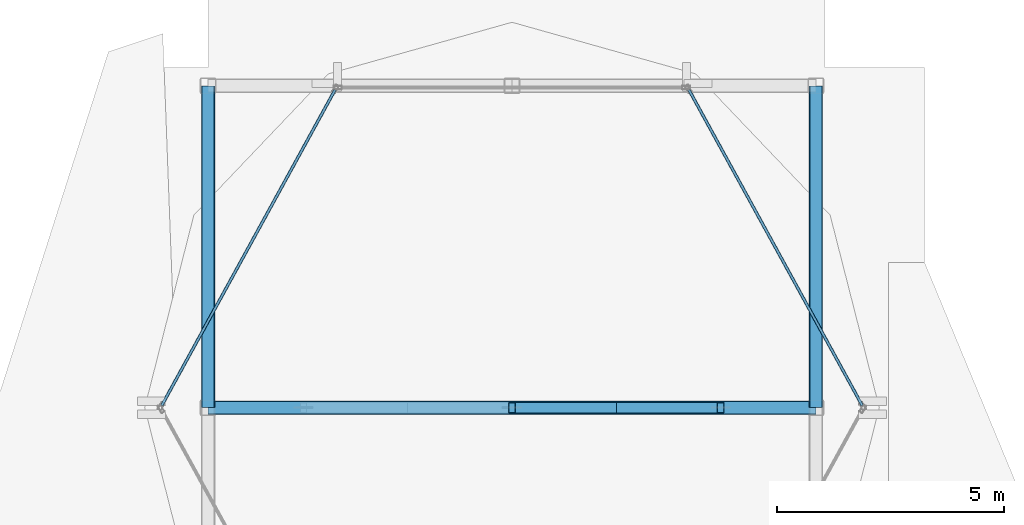
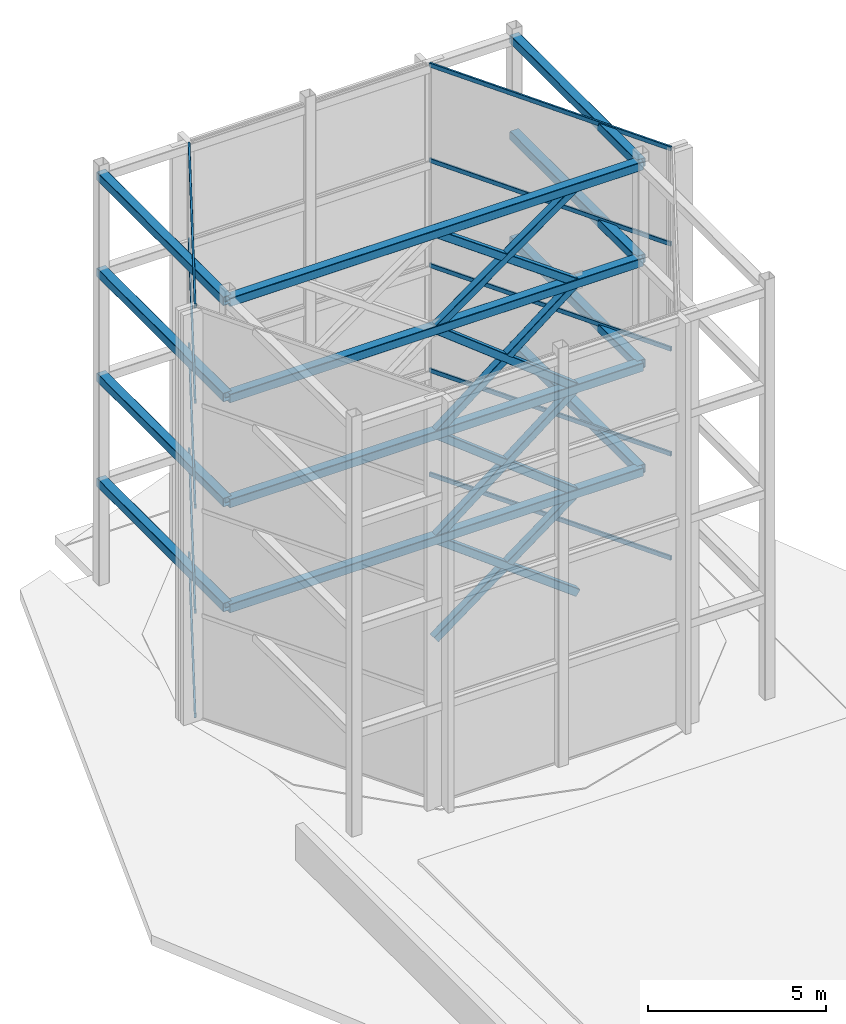
# One storey, part 15 of 24: 18 members, 12 beams, 2 elements without a shape of their own.
"""IFC4 building model written with IfcOpenShell, lengths in metres."""

import ifcopenshell
import ifcopenshell.guid

model = None  # the IFC model being written
_history = None  # IfcOwnerHistory: only IFC2X3 demands one
_inside = {}  # id of a spatial element -> (the spatial element, [elements in it])
_under = {}  # id of a project, library or spatial element -> (it, [spatial elements below it])
_declared = {}  # id of a project -> (the project, [libraries it declares])
_typed = {}  # id of a type object -> (the type object, [elements of that type])
_made_of = {}  # id of a material, layer set ... -> (it, [elements and type objects made of it])


def new_model(schema):
    """Start an empty IFC model of exactly this schema.

    Asked for "IFC4X3", IfcOpenShell would pick the latest addendum, in which some entities
    have other attributes; the version numbers below select the first issue.
    IFC2X3 requires an IfcOwnerHistory on every rooted entity: one is made here for all.
    """
    global model, _history
    if schema == "IFC4X3":
        model = ifcopenshell.file(schema_version=(4, 3, 0, 0))
    else:
        model = ifcopenshell.file(schema=schema)
    _inside.clear()
    _under.clear()
    _declared.clear()
    _typed.clear()
    _made_of.clear()
    _history = None
    if model.schema == "IFC2X3":
        org = make("IfcOrganization", Name="unknown")
        user = make(
            "IfcPersonAndOrganization",
            ThePerson=make("IfcPerson", FamilyName="unknown"),
            TheOrganization=org,
        )
        app = make(
            "IfcApplication",
            ApplicationDeveloper=org,
            Version="unknown",
            ApplicationFullName="unknown",
            ApplicationIdentifier="unknown",
        )
        _history = make(
            "IfcOwnerHistory",
            OwningUser=user,
            OwningApplication=app,
            ChangeAction="ADDED",
            CreationDate=0,
        )
    return model


def make(cls, **values):
    """One entity of the class cls with the attributes given. An attribute that is None is left unset."""
    return model.create_entity(
        cls, **{name: value for name, value in values.items() if value is not None}
    )


def rooted(cls, **values):
    """An entity with a GlobalId (a new one), such as an element, a storey or a relation."""
    return make(cls, GlobalId=ifcopenshell.guid.new(), OwnerHistory=_history, **values)


def si_unit(unit_type, name, prefix=None):
    """IfcSIUnit, for example si_unit("LENGTHUNIT", "METRE", prefix="MILLI")."""
    return make("IfcSIUnit", UnitType=unit_type, Prefix=prefix, Name=name)


def assignment(units):
    """IfcUnitAssignment: the units of a project."""
    return None if units is None else make("IfcUnitAssignment", Units=units)


def point(xyz):
    """IfcCartesianPoint."""
    return None if xyz is None else make("IfcCartesianPoint", Coordinates=xyz)


def direction(xyz):
    """IfcDirection."""
    return None if xyz is None else make("IfcDirection", DirectionRatios=xyz)


def frame(location, z_axis=None, x_axis=None):
    """IfcAxis2Placement3D, a coordinate frame: its origin and axes. An axis left out is left unset."""
    return make(
        "IfcAxis2Placement3D",
        Location=point(location),
        Axis=direction(z_axis),
        RefDirection=direction(x_axis),
    )


def frame_2d(location, x_axis=None):
    """IfcAxis2Placement2D, a coordinate frame in the plane: its origin and x axis."""
    return make(
        "IfcAxis2Placement2D", Location=point(location), RefDirection=direction(x_axis)
    )


def origin():
    """The frame at (0, 0, 0) with its axes left unset."""
    return frame((0.0, 0.0, 0.0))


def origin_2d():
    """The frame at (0, 0) in the plane with its x axis left unset."""
    return frame_2d((0.0, 0.0))


def place(relative_to, where):
    """IfcLocalPlacement: puts the frame where relative to a parent placement (None: the world)."""
    return make(
        "IfcLocalPlacement", PlacementRelTo=relative_to, RelativePlacement=where
    )


def context(
    kind, dimensions, precision=None, world=None, true_north=None, identifier=None
):
    """IfcGeometricRepresentationContext, for example the 3D "Model" context."""
    return make(
        "IfcGeometricRepresentationContext",
        ContextIdentifier=identifier,
        ContextType=kind,
        CoordinateSpaceDimension=dimensions,
        Precision=precision,
        WorldCoordinateSystem=world,
        TrueNorth=true_north,
    )


def subcontext(parent, identifier, kind, view, scale=None):
    """IfcGeometricRepresentationSubContext, for example "Body" below "Model"."""
    return make(
        "IfcGeometricRepresentationSubContext",
        ContextIdentifier=identifier,
        ContextType=kind,
        ParentContext=parent,
        TargetScale=scale,
        TargetView=view,
    )


def project(units=None, contexts=None):
    """IfcProject with its units and contexts."""
    return rooted(
        "IfcProject",
        Name="project",
        RepresentationContexts=contexts,
        UnitsInContext=assignment(units),
    )


def spatial(cls, under=None, at=None, **own):
    """A site, building, storey or space (cls), placed at a placement, below another one or the project."""
    s = rooted(cls, ObjectPlacement=at, **own)
    if under is not None:
        _under.setdefault(under.id(), (under, []))[1].append(s)
    return s


def profile(cls, at=None, kind="AREA", **sizes):
    """A parametric profile (cls). Its sizes go by their IFC names, for example OverallWidth=200.0."""
    return make(cls, ProfileType=kind, Position=at, **sizes)


def hollow_rectangle(**sizes):
    """IfcRectangleHollowProfileDef."""
    return profile("IfcRectangleHollowProfileDef", **sizes)


def extrude(swept, where, along, depth):
    """IfcExtrudedAreaSolid: the profile swept, set in the frame where, extruded along a direction by depth."""
    return make(
        "IfcExtrudedAreaSolid",
        SweptArea=swept,
        Position=where,
        ExtrudedDirection=direction(along),
        Depth=depth,
    )


def shape(context_of_items, identifier, shape_type, items):
    """IfcShapeRepresentation: the items that make up one representation, for example the "Body"."""
    return make(
        "IfcShapeRepresentation",
        ContextOfItems=context_of_items,
        RepresentationIdentifier=identifier,
        RepresentationType=shape_type,
        Items=items,
    )


def material(Name=None, Category=None):
    """IfcMaterial."""
    return make("IfcMaterial", Name=Name, Category=Category)


def layer(
    of_material, thickness, ventilated=None, Name=None, Category=None, Priority=None
):
    """IfcMaterialLayer: one layer of a wall or slab, of a material (None: an air gap)."""
    return make(
        "IfcMaterialLayer",
        Material=of_material,
        LayerThickness=thickness,
        IsVentilated=ventilated,
        Name=Name,
        Category=Category,
        Priority=Priority,
    )


def layer_set(layers, Name=None):
    """IfcMaterialLayerSet."""
    return make("IfcMaterialLayerSet", MaterialLayers=layers, LayerSetName=Name)


def material_profile(
    of_material, cross_section, Name=None, Category=None, Priority=None
):
    """IfcMaterialProfile: a cross section and its material."""
    return make(
        "IfcMaterialProfile",
        Name=Name,
        Material=of_material,
        Profile=cross_section,
        Priority=Priority,
        Category=Category,
    )


def profile_set(profiles, Name=None, composite=None):
    """IfcMaterialProfileSet."""
    return make(
        "IfcMaterialProfileSet",
        Name=Name,
        MaterialProfiles=profiles,
        CompositeProfile=composite,
    )


def made_of(thing, what):
    """Note that an element or type object is made of a material, layer set ...; save() writes the relation."""
    if what is not None:
        _made_of.setdefault(what.id(), (what, []))[1].append(thing)
    return thing


def type_object(cls, material=None, **own):
    """A type object (cls), such as IfcWallType, which elements share."""
    return made_of(rooted(cls, **own), material)


def element(
    cls,
    number,
    at=None,
    inside=None,
    cuts=None,
    type_object=None,
    material=None,
    context=None,
    identifier="Body",
    shape_type=None,
    held_by="IfcProductDefinitionShape",
    body=None,
    shapes=None,
    **own,
):
    """One element of the class cls, such as IfcWall. Its Tag is "e" and its number.

    at: its placement. inside: the storey or other place that contains it. cuts: it is an
    opening in that element (IfcRelVoidsElement). A single representation is given by context,
    identifier, shape_type and body (its items); several are given by shapes. held_by: the class
    of the entity that holds the representations. save() writes the other relations.
    """
    e = rooted(cls, Tag="e%d" % number, ObjectPlacement=at, **own)
    if body is not None:
        shapes = [shape(context, identifier, shape_type, body)]
    if shapes is not None:
        e.Representation = make(held_by, Representations=shapes)
    if inside is not None:
        _inside.setdefault(inside.id(), (inside, []))[1].append(e)
    if cuts is not None:
        rooted(
            "IfcRelVoidsElement", RelatingBuildingElement=cuts, RelatedOpeningElement=e
        )
    if type_object is not None:
        _typed.setdefault(type_object.id(), (type_object, []))[1].append(e)
    return made_of(e, material)


def aggregate(whole, parts):
    """IfcRelAggregates: a whole, such as a stair, and the parts it consists of."""
    return rooted("IfcRelAggregates", RelatingObject=whole, RelatedObjects=parts)


def save(model, path):
    """Write the relations noted so far, then the file.

    IfcRelAggregates (storeys below a building ...), IfcRelContainedInSpatialStructure (elements
    in a storey), IfcRelDefinesByType, IfcRelAssociatesMaterial and IfcRelDeclares: one each for
    every whole, place, type object, material and project.
    """
    for whole, parts in _under.values():
        aggregate(whole, parts)
    for where, things in _inside.values():
        rooted(
            "IfcRelContainedInSpatialStructure",
            RelatedElements=things,
            RelatingStructure=where,
        )
    for kind, things in _typed.values():
        rooted("IfcRelDefinesByType", RelatedObjects=things, RelatingType=kind)
    for what, things in _made_of.values():
        rooted("IfcRelAssociatesMaterial", RelatedObjects=things, RelatingMaterial=what)
    for by, libraries in _declared.values():
        rooted("IfcRelDeclares", RelatingContext=by, RelatedDefinitions=libraries)
    model.write(path)


model = new_model("IFC4")

# Units and contexts
model_context = context("Model", 3, precision=1e-05, world=origin(), true_north=direction((0.0, 1.0)))
body_context = subcontext(model_context, "Body", "Model", "MODEL_VIEW")
ifc_project = project(units=[si_unit("LENGTHUNIT", "METRE"), si_unit("AREAUNIT", "SQUARE_METRE"), si_unit("VOLUMEUNIT", "CUBIC_METRE"), si_unit("PLANEANGLEUNIT", "RADIAN"), si_unit("MASSUNIT", "GRAM", prefix="KILO")], contexts=[model_context])

# Site, building, storey
site_placement = place(None, origin())
site = spatial("IfcSite", under=ifc_project, at=site_placement, CompositionType="ELEMENT")
building_placement = place(site_placement, origin())
building = spatial("IfcBuilding", under=site, at=building_placement, Name="Solvaryn Broadcast Tower", CompositionType="ELEMENT")
storey_placement = place(building_placement, frame((0.0, 0.0, 307.800048828125)))
storey = spatial("IfcBuildingStorey", under=building, at=storey_placement, Name="Roof Main", CompositionType="ELEMENT", Elevation=307.800048828125)

# Beams
ifc_material_1 = material(Name="Steel ASTM A500 Grade C", Category="steel")
ifc_material_profile_1 = material_profile(ifc_material_1, hollow_rectangle(XDim=0.300048828125, YDim=0.300048828125, WallThickness=0.01416015625, InnerFilletRadius=0.01416015625, OuterFilletRadius=0.0283203125, at=origin_2d()))
ifc_profile_set_1 = profile_set([ifc_material_profile_1], Name="Steel ASTM A500 Grade C")
beam_type = type_object("IfcBeamType", Name="BM-CROWN-RING", PredefinedType="BEAM", material=ifc_profile_set_1)
for number, where, z_axis, x_axis, name in (
    (1, (24.60009765625, 35.300048828125, 3.449951171875), (0.0, 1.0, 0.0), (-1.0, 0.0, 0.0), "Roof Main CROWN FRAME Ring Beam WT1-4"),
    (2, (11.199951171875, 42.39990234375, 3.449951171875), (0.0, -1.0, 0.0), (1.0, 0.0, 0.0), "Roof Main CROWN FRAME Ring Beam WT1-7"),
):
    element("IfcBeam", number, at=place(storey_placement, frame(where, z_axis=z_axis, x_axis=x_axis)), inside=storey, type_object=beam_type, Name=name, PredefinedType="BEAM", context=body_context, shape_type="SweptSolid", body=[
        extrude(hollow_rectangle(XDim=0.300048828125, YDim=0.300048828125, WallThickness=0.01416015625, InnerFilletRadius=0.01416015625, OuterFilletRadius=0.0283203125, at=origin_2d()), origin(), (0.0, 0.0, 1.0), 7.099853515625),
    ])
beam_1_placement = place(storey_placement, frame((11.199951171875, 35.300048828125, 3.449951171875), z_axis=(1.0, 0.0, 0.0), x_axis=(0.0, 1.0, 0.0)))
element("IfcBeam", 3, at=beam_1_placement, inside=storey, type_object=beam_type, Name="Roof Main CROWN FRAME Ring Beam WT1-9", PredefinedType="BEAM", context=body_context, shape_type="SweptSolid", body=[
    extrude(hollow_rectangle(XDim=0.300048828125, YDim=0.300048828125, WallThickness=0.01416015625, InnerFilletRadius=0.01416015625, OuterFilletRadius=0.0283203125, at=origin_2d()), origin(), (0.0, 0.0, 1.0), 13.400146484375),
])
for number, where, z_axis, x_axis, name in (
    (4, (24.60009765625, 35.300048828125, 7.050048828125), (0.0, 1.0, 0.0), (-1.0, 0.0, 0.0), "Roof Main CROWN FRAME Ring Beam WT2-4"),
    (5, (11.199951171875, 42.39990234375, 7.050048828125), (0.0, -1.0, 0.0), (1.0, 0.0, 0.0), "Roof Main CROWN FRAME Ring Beam WT2-7"),
):
    element("IfcBeam", number, at=place(storey_placement, frame(where, z_axis=z_axis, x_axis=x_axis)), inside=storey, type_object=beam_type, Name=name, PredefinedType="BEAM", context=body_context, shape_type="SweptSolid", body=[
        extrude(hollow_rectangle(XDim=0.300048828125, YDim=0.300048828125, WallThickness=0.01416015625, InnerFilletRadius=0.01416015625, OuterFilletRadius=0.0283203125, at=origin_2d()), origin(), (0.0, 0.0, 1.0), 7.099853515625),
    ])
beam_2_placement = place(storey_placement, frame((11.199951171875, 35.300048828125, 7.050048828125), z_axis=(1.0, 0.0, 0.0), x_axis=(0.0, 1.0, 0.0)))
element("IfcBeam", 6, at=beam_2_placement, inside=storey, type_object=beam_type, Name="Roof Main CROWN FRAME Ring Beam WT2-9", PredefinedType="BEAM", context=body_context, shape_type="SweptSolid", body=[
    extrude(hollow_rectangle(XDim=0.300048828125, YDim=0.300048828125, WallThickness=0.01416015625, InnerFilletRadius=0.01416015625, OuterFilletRadius=0.0283203125, at=origin_2d()), origin(), (0.0, 0.0, 1.0), 13.400146484375),
])
for number, where, z_axis, x_axis, name in (
    (7, (24.60009765625, 35.300048828125, 10.64990234375), (0.0, 1.0, 0.0), (-1.0, 0.0, 0.0), "Roof Main CROWN FRAME Ring Beam WT3-4"),
    (8, (11.199951171875, 42.39990234375, 10.64990234375), (0.0, -1.0, 0.0), (1.0, 0.0, 0.0), "Roof Main CROWN FRAME Ring Beam WT3-7"),
):
    element("IfcBeam", number, at=place(storey_placement, frame(where, z_axis=z_axis, x_axis=x_axis)), inside=storey, type_object=beam_type, Name=name, PredefinedType="BEAM", context=body_context, shape_type="SweptSolid", body=[
        extrude(hollow_rectangle(XDim=0.300048828125, YDim=0.300048828125, WallThickness=0.01416015625, InnerFilletRadius=0.01416015625, OuterFilletRadius=0.0283203125, at=origin_2d()), origin(), (0.0, 0.0, 1.0), 7.099853515625),
    ])
beam_3_placement = place(storey_placement, frame((11.199951171875, 35.300048828125, 10.64990234375), z_axis=(1.0, 0.0, 0.0), x_axis=(0.0, 1.0, 0.0)))
element("IfcBeam", 9, at=beam_3_placement, inside=storey, type_object=beam_type, Name="Roof Main CROWN FRAME Ring Beam WT3-9", PredefinedType="BEAM", context=body_context, shape_type="SweptSolid", body=[
    extrude(hollow_rectangle(XDim=0.300048828125, YDim=0.300048828125, WallThickness=0.01416015625, InnerFilletRadius=0.01416015625, OuterFilletRadius=0.0283203125, at=origin_2d()), origin(), (0.0, 0.0, 1.0), 13.400146484375),
])
for number, where, z_axis, x_axis, name in (
    (10, (24.60009765625, 35.300048828125, 13.949951171875), (0.0, 1.0, 0.0), (-1.0, 0.0, 0.0), "Roof Main CROWN FRAME Ring Beam WT4-4"),
    (11, (11.199951171875, 42.39990234375, 13.949951171875), (0.0, -1.0, 0.0), (1.0, 0.0, 0.0), "Roof Main CROWN FRAME Ring Beam WT4-7"),
):
    element("IfcBeam", number, at=place(storey_placement, frame(where, z_axis=z_axis, x_axis=x_axis)), inside=storey, type_object=beam_type, Name=name, PredefinedType="BEAM", context=body_context, shape_type="SweptSolid", body=[
        extrude(hollow_rectangle(XDim=0.300048828125, YDim=0.300048828125, WallThickness=0.01416015625, InnerFilletRadius=0.01416015625, OuterFilletRadius=0.0283203125, at=origin_2d()), origin(), (0.0, 0.0, 1.0), 7.099853515625),
    ])
beam_4_placement = place(storey_placement, frame((11.199951171875, 35.300048828125, 13.949951171875), z_axis=(1.0, 0.0, 0.0), x_axis=(0.0, 1.0, 0.0)))
element("IfcBeam", 12, at=beam_4_placement, inside=storey, type_object=beam_type, Name="Roof Main CROWN FRAME Ring Beam WT4-9", PredefinedType="BEAM", context=body_context, shape_type="SweptSolid", body=[
    extrude(hollow_rectangle(XDim=0.300048828125, YDim=0.300048828125, WallThickness=0.01416015625, InnerFilletRadius=0.01416015625, OuterFilletRadius=0.0283203125, at=origin_2d()), origin(), (0.0, 0.0, 1.0), 13.400146484375),
])

# Curtain wall, members
ifc_material_2 = material(Name="Aluminium and Terracotta Unitised Curtain Wall", Category="masonry")
ifc_layer = layer(ifc_material_2, 0.2099609375)
ifc_layer_set = layer_set([ifc_layer], Name="CW-SYS6-CROWN")
curtain_wall_type = type_object("IfcCurtainWallType", Name="CW-SYS6-CROWN", PredefinedType="NOTDEFINED", material=ifc_layer_set)
curtain_wall_1_placement = place(storey_placement, origin())
curtain_wall_1 = element("IfcCurtainWall", 13, at=curtain_wall_1_placement, inside=storey, type_object=curtain_wall_type, Name="Roof Main Split-Top Crown Curtain Wall W1", PredefinedType="NOTDEFINED")
ifc_material_3 = material(Name="Anodised Aluminium 6063-T6", Category="aluminium")
ifc_material_profile_2 = material_profile(ifc_material_3, hollow_rectangle(XDim=0.06494140625, YDim=0.14990234375, WallThickness=0.00390625, InnerFilletRadius=0.00390625, OuterFilletRadius=0.008056640625, at=origin_2d()))
ifc_profile_set_2 = profile_set([ifc_material_profile_2], Name="Anodised Aluminium 6063-T6")
member_type_1 = type_object("IfcMemberType", Name="CW-TRN-150", PredefinedType="USERDEFINED", material=ifc_profile_set_2)
member_1_placement = place(storey_placement, frame((25.62109375, 35.3525390625, 0.030029296875), z_axis=(-0.481246290978, 0.876585425056, 0.0), x_axis=(-0.876585425056, -0.481246290978, 0.0)))
member_1 = element("IfcMember", 14, at=member_1_placement, type_object=member_type_1, Name="CWS6 transom 1.1", ObjectType="TRANSOM", PredefinedType="USERDEFINED", context=body_context, shape_type="SweptSolid", body=[
    extrude(hollow_rectangle(XDim=0.06494140625, YDim=0.14990234375, WallThickness=0.00390625, InnerFilletRadius=0.00390625, OuterFilletRadius=0.008056640625, at=origin_2d()), origin(), (0.0, 0.0, 1.0), 7.931884765625),
])
member_2_placement = place(storey_placement, frame((25.62109375, 35.3525390625, 3.599853515625), z_axis=(-0.481246290978, 0.876585425056, 0.0), x_axis=(-0.876585425056, -0.481246290978, 0.0)))
member_2 = element("IfcMember", 15, at=member_2_placement, type_object=member_type_1, Name="CWS6 transom 1.2", ObjectType="TRANSOM", PredefinedType="USERDEFINED", context=body_context, shape_type="SweptSolid", body=[
    extrude(hollow_rectangle(XDim=0.06494140625, YDim=0.14990234375, WallThickness=0.00390625, InnerFilletRadius=0.00390625, OuterFilletRadius=0.008056640625, at=origin_2d()), origin(), (0.0, 0.0, 1.0), 7.931884765625),
])
member_3_placement = place(storey_placement, frame((25.62109375, 35.3525390625, 7.199951171875), z_axis=(-0.481246290978, 0.876585425056, 0.0), x_axis=(-0.876585425056, -0.481246290978, 0.0)))
member_3 = element("IfcMember", 16, at=member_3_placement, type_object=member_type_1, Name="CWS6 transom 1.3", ObjectType="TRANSOM", PredefinedType="USERDEFINED", context=body_context, shape_type="SweptSolid", body=[
    extrude(hollow_rectangle(XDim=0.06494140625, YDim=0.14990234375, WallThickness=0.00390625, InnerFilletRadius=0.00390625, OuterFilletRadius=0.008056640625, at=origin_2d()), origin(), (0.0, 0.0, 1.0), 7.931884765625),
])
member_4_placement = place(storey_placement, frame((25.62109375, 35.3525390625, 10.800048828125), z_axis=(-0.481246290978, 0.876585425056, 0.0), x_axis=(-0.876585425056, -0.481246290978, 0.0)))
member_4 = element("IfcMember", 17, at=member_4_placement, type_object=member_type_1, Name="CWS6 transom 1.4", ObjectType="TRANSOM", PredefinedType="USERDEFINED", context=body_context, shape_type="SweptSolid", body=[
    extrude(hollow_rectangle(XDim=0.06494140625, YDim=0.14990234375, WallThickness=0.00390625, InnerFilletRadius=0.00390625, OuterFilletRadius=0.008056640625, at=origin_2d()), origin(), (0.0, 0.0, 1.0), 7.931884765625),
])
member_5_placement = place(storey_placement, frame((25.62109375, 35.3525390625, 14.070068359375), z_axis=(-0.481246290978, 0.876585425056, 0.0), x_axis=(-0.876585425056, -0.481246290978, 0.0)))
member_5 = element("IfcMember", 18, at=member_5_placement, type_object=member_type_1, Name="CWS6 transom 1.5", ObjectType="TRANSOM", PredefinedType="USERDEFINED", context=body_context, shape_type="SweptSolid", body=[
    extrude(hollow_rectangle(XDim=0.06494140625, YDim=0.14990234375, WallThickness=0.00390625, InnerFilletRadius=0.00390625, OuterFilletRadius=0.008056640625, at=origin_2d()), origin(), (0.0, 0.0, 1.0), 7.931884765625),
])
aggregate(curtain_wall_1, [member_1, member_2, member_3, member_4, member_5])

curtain_wall_2_placement = place(storey_placement, origin())
curtain_wall_2 = element("IfcCurtainWall", 19, at=curtain_wall_2_placement, inside=storey, type_object=curtain_wall_type, Name="Roof Main Split-Top Crown Curtain Wall W3", PredefinedType="NOTDEFINED")
member_6_placement = place(storey_placement, frame((13.99609375, 42.305419921875, 0.030029296875), z_axis=(-0.481246290978, -0.876585425056, 0.0), x_axis=(0.876585425056, -0.481246290978, 0.0)))
member_6 = element("IfcMember", 20, at=member_6_placement, type_object=member_type_1, Name="CWS6 transom 1.1", ObjectType="TRANSOM", PredefinedType="USERDEFINED", context=body_context, shape_type="SweptSolid", body=[
    extrude(hollow_rectangle(XDim=0.06494140625, YDim=0.14990234375, WallThickness=0.00390625, InnerFilletRadius=0.00390625, OuterFilletRadius=0.008056640625, at=origin_2d()), origin(), (0.0, 0.0, 1.0), 7.931884765625),
])
member_7_placement = place(storey_placement, frame((13.99609375, 42.305419921875, 3.599853515625), z_axis=(-0.481246290978, -0.876585425056, 0.0), x_axis=(0.876585425056, -0.481246290978, 0.0)))
member_7 = element("IfcMember", 21, at=member_7_placement, type_object=member_type_1, Name="CWS6 transom 1.2", ObjectType="TRANSOM", PredefinedType="USERDEFINED", context=body_context, shape_type="SweptSolid", body=[
    extrude(hollow_rectangle(XDim=0.06494140625, YDim=0.14990234375, WallThickness=0.00390625, InnerFilletRadius=0.00390625, OuterFilletRadius=0.008056640625, at=origin_2d()), origin(), (0.0, 0.0, 1.0), 7.931884765625),
])
member_8_placement = place(storey_placement, frame((13.99609375, 42.305419921875, 7.199951171875), z_axis=(-0.481246290978, -0.876585425056, 0.0), x_axis=(0.876585425056, -0.481246290978, 0.0)))
member_8 = element("IfcMember", 22, at=member_8_placement, type_object=member_type_1, Name="CWS6 transom 1.3", ObjectType="TRANSOM", PredefinedType="USERDEFINED", context=body_context, shape_type="SweptSolid", body=[
    extrude(hollow_rectangle(XDim=0.06494140625, YDim=0.14990234375, WallThickness=0.00390625, InnerFilletRadius=0.00390625, OuterFilletRadius=0.008056640625, at=origin_2d()), origin(), (0.0, 0.0, 1.0), 7.931884765625),
])
member_9_placement = place(storey_placement, frame((13.99609375, 42.305419921875, 10.800048828125), z_axis=(-0.481246290978, -0.876585425056, 0.0), x_axis=(0.876585425056, -0.481246290978, 0.0)))
member_9 = element("IfcMember", 23, at=member_9_placement, type_object=member_type_1, Name="CWS6 transom 1.4", ObjectType="TRANSOM", PredefinedType="USERDEFINED", context=body_context, shape_type="SweptSolid", body=[
    extrude(hollow_rectangle(XDim=0.06494140625, YDim=0.14990234375, WallThickness=0.00390625, InnerFilletRadius=0.00390625, OuterFilletRadius=0.008056640625, at=origin_2d()), origin(), (0.0, 0.0, 1.0), 7.931884765625),
])
member_10_placement = place(storey_placement, frame((13.99609375, 42.305419921875, 14.070068359375), z_axis=(-0.481246290978, -0.876585425056, 0.0), x_axis=(0.876585425056, -0.481246290978, 0.0)))
member_10 = element("IfcMember", 24, at=member_10_placement, type_object=member_type_1, Name="CWS6 transom 1.5", ObjectType="TRANSOM", PredefinedType="USERDEFINED", context=body_context, shape_type="SweptSolid", body=[
    extrude(hollow_rectangle(XDim=0.06494140625, YDim=0.14990234375, WallThickness=0.00390625, InnerFilletRadius=0.00390625, OuterFilletRadius=0.008056640625, at=origin_2d()), origin(), (0.0, 0.0, 1.0), 7.931884765625),
])
aggregate(curtain_wall_2, [member_6, member_7, member_8, member_9, member_10])

# Members
ifc_material_4 = material(Name="Steel ASTM A500 Grade C", Category="steel")
ifc_material_profile_3 = material_profile(ifc_material_4, hollow_rectangle(XDim=0.25, YDim=0.25, WallThickness=0.011962890625, InnerFilletRadius=0.011962890625, OuterFilletRadius=0.02392578125, at=origin_2d()))
ifc_profile_set_3 = profile_set([ifc_material_profile_3], Name="Steel ASTM A500 Grade C")
member_type_2 = type_object("IfcMemberType", Name="MB-CROWN-BRACE", PredefinedType="BRACE", material=ifc_profile_set_3)
for number, where, z_axis, x_axis, name in (
    (25, (22.5, 35.300048828125, 0.02001953125), (-0.801681730378, 0.0, 0.597751121435), (0.0, -1.0, 0.0), "Roof Main CROWN FRAME Brace WT1-2"),
    (26, (17.89990234375, 35.300048828125, 0.02001953125), (0.801681730378, 0.0, 0.597751121435), (0.0, 1.0, 0.0), "Roof Main CROWN FRAME Brace WT1-4"),
):
    element("IfcMember", number, at=place(storey_placement, frame(where, z_axis=z_axis, x_axis=x_axis)), inside=storey, type_object=member_type_2, Name=name, PredefinedType="BRACE", context=body_context, shape_type="SweptSolid", body=[
        extrude(hollow_rectangle(XDim=0.25, YDim=0.25, WallThickness=0.011962890625, InnerFilletRadius=0.011962890625, OuterFilletRadius=0.02392578125, at=origin_2d()), origin(), (0.0, 0.0, 1.0), 5.738037109375),
    ])
for number, where, z_axis, x_axis, name in (
    (27, (22.5, 35.300048828125, 3.449951171875), (-0.787503237085, 0.0, 0.616310515553), (0.0, -1.0, 0.0), "Roof Main CROWN FRAME Brace WT2-2"),
    (28, (17.89990234375, 35.300048828125, 3.449951171875), (0.787503237085, 0.0, 0.616310515553), (0.0, 1.0, 0.0), "Roof Main CROWN FRAME Brace WT2-4"),
    (29, (22.5, 35.300048828125, 7.050048828125), (-0.787523522286, 0.0, 0.616284594847), (0.0, -1.0, 0.0), "Roof Main CROWN FRAME Brace WT3-2"),
    (30, (17.89990234375, 35.300048828125, 7.050048828125), (0.787523522286, 0.0, 0.616284594847), (0.0, 1.0, 0.0), "Roof Main CROWN FRAME Brace WT3-4"),
):
    element("IfcMember", number, at=place(storey_placement, frame(where, z_axis=z_axis, x_axis=x_axis)), inside=storey, type_object=member_type_2, Name=name, PredefinedType="BRACE", context=body_context, shape_type="SweptSolid", body=[
        extrude(hollow_rectangle(XDim=0.25, YDim=0.25, WallThickness=0.011962890625, InnerFilletRadius=0.011962890625, OuterFilletRadius=0.02392578125, at=origin_2d()), origin(), (0.0, 0.0, 1.0), 5.84130859375),
    ])
for number, where, z_axis, x_axis, name in (
    (31, (22.5, 35.300048828125, 10.64990234375), (-0.812540026711, 0.0, 0.582905399695), (0.0, -1.0, 0.0), "Roof Main CROWN FRAME Brace WT4-2"),
    (32, (17.89990234375, 35.300048828125, 10.64990234375), (0.812540026711, 0.0, 0.582905399695), (0.0, 1.0, 0.0), "Roof Main CROWN FRAME Brace WT4-4"),
):
    element("IfcMember", number, at=place(storey_placement, frame(where, z_axis=z_axis, x_axis=x_axis)), inside=storey, type_object=member_type_2, Name=name, PredefinedType="BRACE", context=body_context, shape_type="SweptSolid", body=[
        extrude(hollow_rectangle(XDim=0.25, YDim=0.25, WallThickness=0.011962890625, InnerFilletRadius=0.011962890625, OuterFilletRadius=0.02392578125, at=origin_2d()), origin(), (0.0, 0.0, 1.0), 5.661376953125),
    ])

save(model, "model.ifc")
